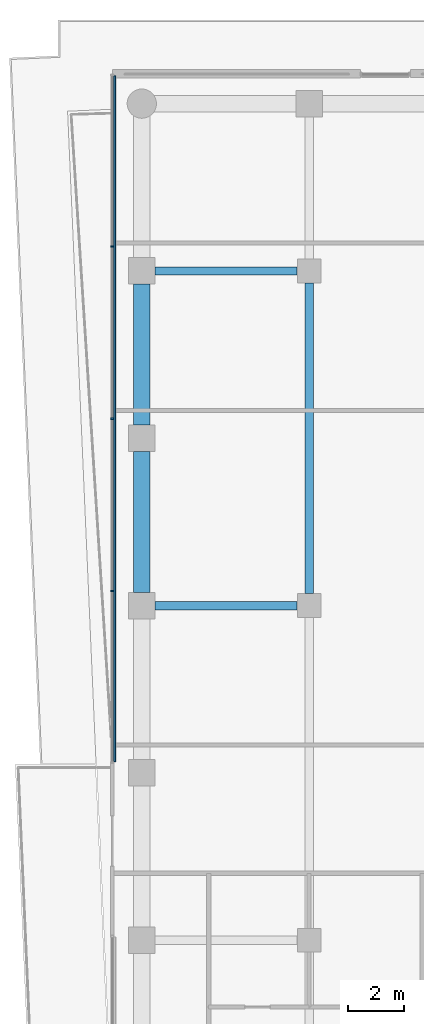
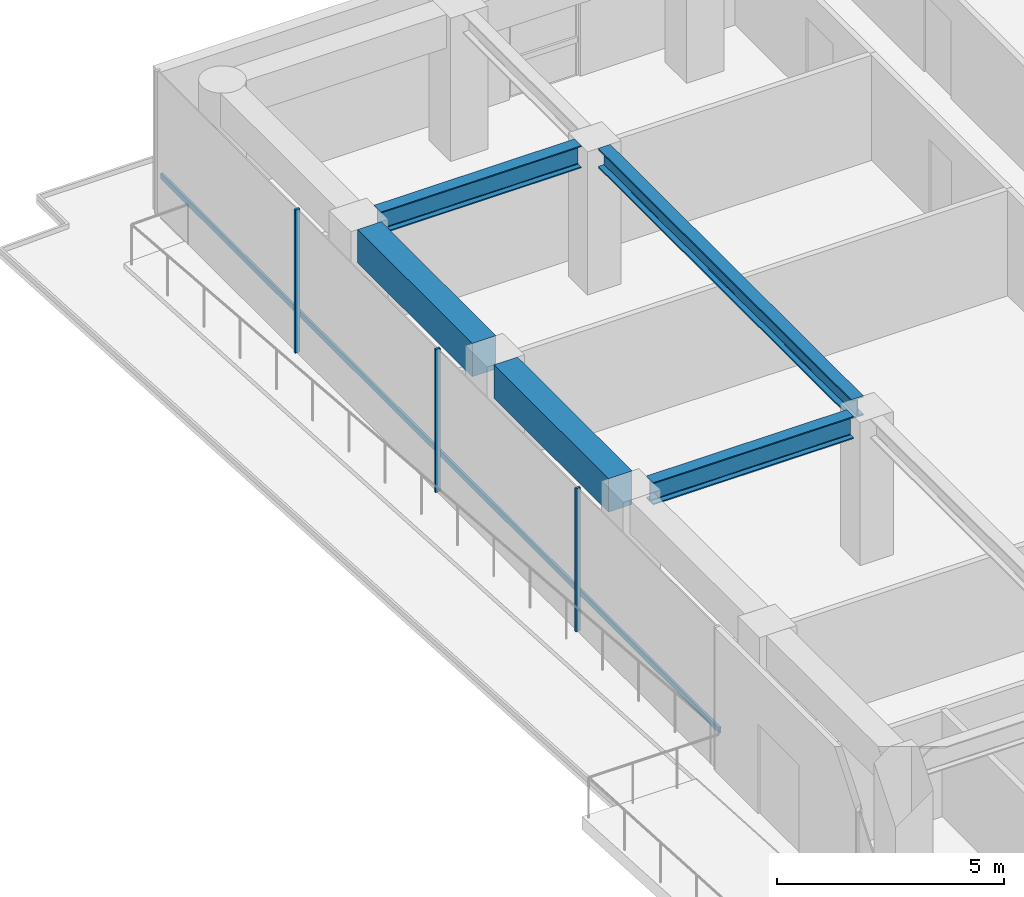
# One storey, part 16 of 29: 5 beams, 4 members, 1 element without a shape of its own.
"""IFC4 building model written with IfcOpenShell, lengths in metres."""

from ifc_helpers import new_model, si_unit, direction, frame, origin, origin_2d, place, context, subcontext, project, spatial, rectangle, i_section, extrude, material, layer, layer_set, material_profile, profile_set, type_object, element, aggregate, save


model = new_model("IFC4")

# Units and contexts
model_context = context("Model", 3, precision=1e-05, world=origin(), true_north=direction((0.0, 1.0)))
body_context = subcontext(model_context, "Body", "Model", "MODEL_VIEW")
ifc_project = project(units=[si_unit("LENGTHUNIT", "METRE"), si_unit("AREAUNIT", "SQUARE_METRE"), si_unit("VOLUMEUNIT", "CUBIC_METRE"), si_unit("PLANEANGLEUNIT", "RADIAN"), si_unit("MASSUNIT", "GRAM", prefix="KILO")], contexts=[model_context])

# Site, building, storey
site_placement = place(None, origin())
site = spatial("IfcSite", under=ifc_project, at=site_placement, CompositionType="ELEMENT")
building_placement = place(site_placement, origin())
building = spatial("IfcBuilding", under=site, at=building_placement, Name="Welwitschia Terrace Campus", CompositionType="ELEMENT")
storey_placement = place(building_placement, frame((0.0, 0.0, 62.60009765625)))
storey = spatial("IfcBuildingStorey", under=building, at=storey_placement, Name="L14", CompositionType="ELEMENT", Elevation=62.60009765625)

# Beam
ifc_material_1 = material(Name="Steel S355", Category="steel")
ifc_material_profile_1 = material_profile(ifc_material_1, i_section(OverallWidth=0.305908203125, OverallDepth=0.52392578125, WebThickness=0.02099609375, FlangeThickness=0.0400390625, FilletRadius=0.027099609375, at=origin_2d()))
ifc_profile_set_1 = profile_set([ifc_material_profile_1], Name="Steel S355")
beam_type_1 = type_object("IfcBeamType", Name="Interior girder HE 500 M", PredefinedType="BEAM", material=ifc_profile_set_1)
beam_placement = place(storey_placement, frame((6.0, 44.425537109375, 3.587890625), z_axis=(0.0, 1.0, 0.0), x_axis=(-1.0, 0.0, 0.0)))
element("IfcBeam", 1, at=beam_placement, inside=storey, type_object=beam_type_1, Name="Girder GB2", PredefinedType="BEAM", context=body_context, shape_type="SweptSolid", body=[
    extrude(i_section(OverallWidth=0.305908203125, OverallDepth=0.52392578125, WebThickness=0.02099609375, FlangeThickness=0.0400390625, FilletRadius=0.027099609375, at=origin_2d()), origin(), (0.0, 0.0, 1.0), 11.14892578125),
])

# Curtain wall, members
ifc_material_2 = material(Name="Bronze anodised aluminium", Category="aluminium")
ifc_layer = layer(ifc_material_2, 0.1201171875)
ifc_layer_set = layer_set([ifc_layer], Name="Bronze anodised aluminium")
curtain_wall_type = type_object("IfcCurtainWallType", Name="Curtain wall CW2 tower 6000", PredefinedType="NOTDEFINED", material=ifc_layer_set)
curtain_wall_placement = place(storey_placement, origin())
curtain_wall = element("IfcCurtainWall", 2, at=curtain_wall_placement, inside=storey, type_object=curtain_wall_type, Name="CW L14.12.0", PredefinedType="NOTDEFINED")
ifc_material_3 = material(Name="Bronze anodised aluminium", Category="aluminium")
ifc_material_profile_2 = material_profile(ifc_material_3, rectangle(XDim=0.1201171875, YDim=0.06005859375, at=origin_2d()))
ifc_profile_set_2 = profile_set([ifc_material_profile_2], Name="Bronze anodised aluminium")
member_type_1 = type_object("IfcMemberType", Name="Mullion 60x120", PredefinedType="MULLION", material=ifc_profile_set_2)
member_1_placement = place(storey_placement, frame((-1.05810546875, 56.88037109375, 0.0), z_axis=(0.0, 0.0, 1.0), x_axis=(1.0, 0.0, 0.0)))
member_1 = element("IfcMember", 3, at=member_1_placement, type_object=member_type_1, Name="Mullion L14.12.0.1", PredefinedType="MULLION", context=body_context, shape_type="SweptSolid", body=[
    extrude(rectangle(XDim=0.1201171875, YDim=0.06005859375, at=origin_2d()), origin(), (0.0, 0.0, 1.0), 3.849853515625),
])
member_2_placement = place(storey_placement, frame((-1.05810546875, 50.70263671875, 0.0), z_axis=(0.0, 0.0, 1.0), x_axis=(1.0, 0.0, 0.0)))
member_2 = element("IfcMember", 4, at=member_2_placement, type_object=member_type_1, Name="Mullion L14.12.0.2", PredefinedType="MULLION", context=body_context, shape_type="SweptSolid", body=[
    extrude(rectangle(XDim=0.1201171875, YDim=0.06005859375, at=origin_2d()), origin(), (0.0, 0.0, 1.0), 3.849853515625),
])
member_3_placement = place(storey_placement, frame((-1.05810546875, 44.52490234375, 0.0), z_axis=(0.0, 0.0, 1.0), x_axis=(1.0, 0.0, 0.0)))
member_3 = element("IfcMember", 5, at=member_3_placement, type_object=member_type_1, Name="Mullion L14.12.0.3", PredefinedType="MULLION", context=body_context, shape_type="SweptSolid", body=[
    extrude(rectangle(XDim=0.1201171875, YDim=0.06005859375, at=origin_2d()), origin(), (0.0, 0.0, 1.0), 3.849853515625),
])

# Beams
ifc_material_4 = material(Name="Steel S355", Category="steel")
ifc_material_profile_3 = material_profile(ifc_material_4, i_section(OverallWidth=0.300048828125, OverallDepth=0.60009765625, WebThickness=0.015380859375, FlangeThickness=0.030029296875, FilletRadius=0.027099609375, at=origin_2d()))
ifc_profile_set_3 = profile_set([ifc_material_profile_3], Name="Steel S355")
beam_type_2 = type_object("IfcBeamType", Name="Primary beam HE 600 B", PredefinedType="BEAM", material=ifc_profile_set_3)
for number, where, z_axis, x_axis, name in (
    (6, (0.4755859375, 56.0, 3.5498046875), (1.0, 0.0, 0.0), (0.0, 1.0, 0.0), "Primary beam PB2"),
    (7, (0.4755859375, 44.0, 3.5498046875), (1.0, 0.0, 0.0), (0.0, 1.0, 0.0), "Primary beam PB2"),
):
    element("IfcBeam", number, at=place(storey_placement, frame(where, z_axis=z_axis, x_axis=x_axis)), inside=storey, type_object=beam_type_2, Name=name, PredefinedType="BEAM", context=body_context, shape_type="SweptSolid", body=[
        extrude(i_section(OverallWidth=0.300048828125, OverallDepth=0.60009765625, WebThickness=0.015380859375, FlangeThickness=0.030029296875, FilletRadius=0.027099609375, at=origin_2d()), origin(), (0.0, 0.0, 1.0), 5.098876953125),
    ])
ifc_material_5 = material(Name="Concrete C60/75", Category="concrete")
ifc_material_profile_4 = material_profile(ifc_material_5, rectangle(XDim=0.60009765625, YDim=0.89990234375, at=origin_2d()))
ifc_profile_set_4 = profile_set([ifc_material_profile_4], Name="Concrete C60/75")
beam_type_3 = type_object("IfcBeamType", Name="Ring spandrel 600x900", PredefinedType="SPANDREL", material=ifc_profile_set_4)
for number, where, z_axis, x_axis, name in (
    (8, (0.0, 55.5244140625, 3.39990234375), (0.0, -1.0, 0.0), (1.0, 0.0, 0.0), "Spandrel SP2"),
    (9, (0.0, 49.5244140625, 3.39990234375), (0.0, -1.0, 0.0), (1.0, 0.0, 0.0), "Spandrel SP2"),
):
    element("IfcBeam", number, at=place(storey_placement, frame(where, z_axis=z_axis, x_axis=x_axis)), inside=storey, type_object=beam_type_3, Name=name, PredefinedType="SPANDREL", context=body_context, shape_type="SweptSolid", body=[
        extrude(rectangle(XDim=0.60009765625, YDim=0.89990234375, at=origin_2d()), origin(), (0.0, 0.0, 1.0), 5.048828125),
    ])

# Member
ifc_material_6 = material(Name="Bronze anodised aluminium", Category="aluminium")
ifc_material_profile_5 = material_profile(ifc_material_6, rectangle(XDim=0.06005859375, YDim=0.14990234375, at=origin_2d()))
ifc_profile_set_5 = profile_set([ifc_material_profile_5], Name="Bronze anodised aluminium")
member_type_2 = type_object("IfcMemberType", Name="Transom 60x150", PredefinedType="USERDEFINED", material=ifc_profile_set_5)
member_4_placement = place(storey_placement, frame((-0.968017578125, 62.998046875, 1.0), z_axis=(0.0, -1.0, 0.0), x_axis=(1.0, 0.0, 0.0)))
member_4 = element("IfcMember", 10, at=member_4_placement, type_object=member_type_2, Name="Transom L14.12.0", ObjectType="TRANSOM", PredefinedType="USERDEFINED", context=body_context, shape_type="SweptSolid", body=[
    extrude(rectangle(XDim=0.06005859375, YDim=0.14990234375, at=origin_2d()), origin(), (0.0, 0.0, 1.0), 24.591064453125),
])

aggregate(curtain_wall, [member_1, member_2, member_3, member_4])

save(model, "model.ifc")
